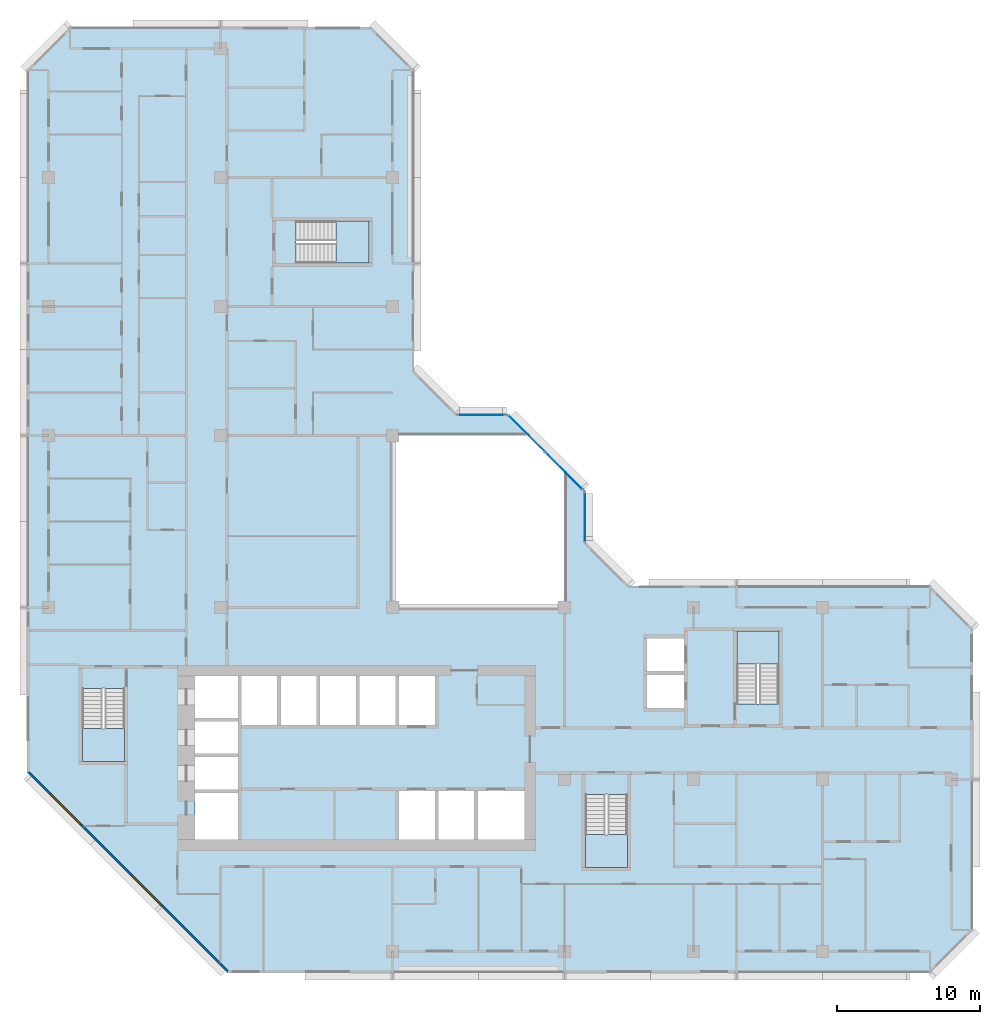
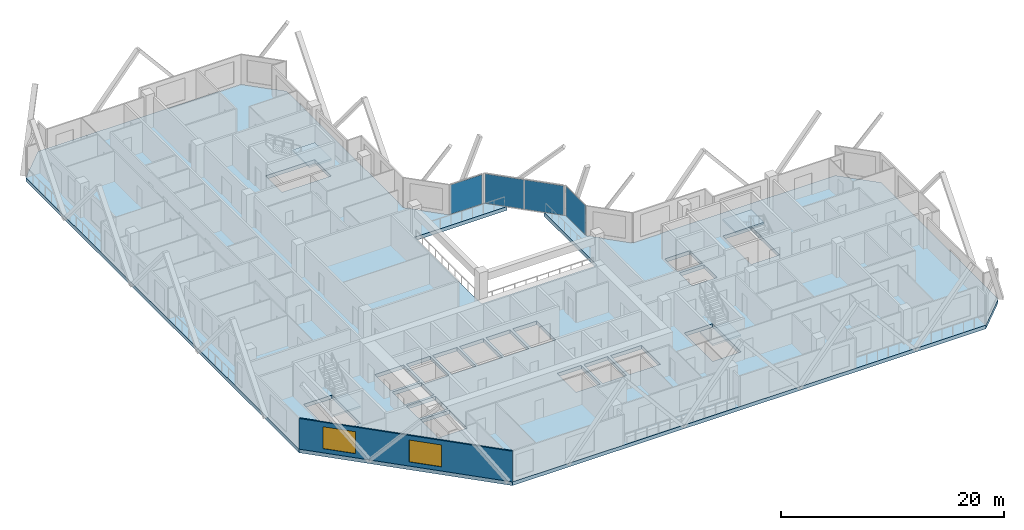
# One storey, part 3 of 14: 5 slabs, 4 plates, 2 windows, 1 wall, 2 openings, 7 elements without a shape of their own.
"""IFC4 building model written with IfcOpenShell, lengths in metres."""

from ifc_helpers import new_model, si_unit, direction, frame, frame_2d, origin, origin_2d, place, context, subcontext, project, spatial, polyline, rectangle, outline, extrude, material, layer, layer_set, type_object, element, fill, aggregate, save


model = new_model("IFC4")

# Units and contexts
model_context = context("Model", 3, precision=1e-05, world=origin(), true_north=direction((0.0, 1.0)))
body_context = subcontext(model_context, "Body", "Model", "MODEL_VIEW")
ifc_project = project(units=[si_unit("LENGTHUNIT", "METRE"), si_unit("AREAUNIT", "SQUARE_METRE"), si_unit("VOLUMEUNIT", "CUBIC_METRE"), si_unit("PLANEANGLEUNIT", "RADIAN"), si_unit("MASSUNIT", "GRAM", prefix="KILO")], contexts=[model_context])

# Site, building, storey
site_placement = place(None, origin())
site = spatial("IfcSite", under=ifc_project, at=site_placement, CompositionType="ELEMENT")
building_placement = place(site_placement, origin())
building = spatial("IfcBuilding", under=site, at=building_placement, Name="Chenar Terraces", CompositionType="ELEMENT")
storey_placement = place(building_placement, frame((0.0, 0.0, 157.39990234375)))
storey = spatial("IfcBuildingStorey", under=building, at=storey_placement, Name="L35", CompositionType="ELEMENT", Elevation=157.39990234375)

# Curtain wall, plate
ifc_material_1 = material(Name="Aluminium framed glazing", Category="aluminium")
ifc_layer_1 = layer(ifc_material_1, 0.14990234375)
ifc_layer_set_1 = layer_set([ifc_layer_1], Name="Aluminium framed glazing")
curtain_wall_type = type_object("IfcCurtainWallType", Name="Atrium mid-zone curtain wall", PredefinedType="NOTDEFINED", material=ifc_layer_set_1)
placement_1 = place(storey_placement, origin())
curtain_wall_1 = element("IfcCurtainWall", 1, at=placement_1, inside=storey, type_object=curtain_wall_type, Name="Atrium mid-zone curtain wall", PredefinedType="NOTDEFINED")
ifc_material_2 = material(Name="Low emissivity laminated glass, solar control coating", Category="glass")
ifc_layer_2 = layer(ifc_material_2, 0.031982421875)
ifc_layer_set_2 = layer_set([ifc_layer_2], Name="Low emissivity laminated glass, solar control coating")
plate_type = type_object("IfcPlateType", Name="Atrium mid-zone glazing panel 32", PredefinedType="CURTAIN_PANEL", material=ifc_layer_set_2)
plate_1_placement = place(storey_placement, frame((37.425048828125, 30.300048828125, 0.070068359375), z_axis=(0.0, 0.0, 1.0), x_axis=(0.0, 1.0, 0.0)))
plate_1 = element("IfcPlate", 2, at=plate_1_placement, type_object=plate_type, Name="CW7-1 panel 1.1", PredefinedType="CURTAIN_PANEL", context=body_context, shape_type="SweptSolid", body=[
    extrude(rectangle(XDim=3.4599609375, YDim=0.031982421875, at=origin_2d()), origin(), (0.0, 0.0, 1.0), 3.2099609375),
])
aggregate(curtain_wall_1, [plate_1])

# Curtain wall, plates
curtain_wall_2 = element("IfcCurtainWall", 3, at=placement_1, inside=storey, type_object=curtain_wall_type, Name="Atrium mid-zone curtain wall", PredefinedType="NOTDEFINED")
plate_2_placement = place(storey_placement, frame((35.978515625, 33.515380859375, 0.070068359375), z_axis=(0.0, 0.0, 1.0), x_axis=(-0.707106781187, 0.707106781187, 0.0)))
plate_2 = element("IfcPlate", 4, at=plate_2_placement, type_object=plate_type, Name="CW7-2 panel 1.1", PredefinedType="CURTAIN_PANEL", context=body_context, shape_type="SweptSolid", body=[
    extrude(rectangle(XDim=3.61328125, YDim=0.031982421875, at=origin_2d()), origin(), (0.0, 0.0, 1.0), 3.2099609375),
])
plate_3_placement = place(storey_placement, frame((33.3740234375, 36.119873046875, 0.070068359375), z_axis=(0.0, 0.0, 1.0), x_axis=(-0.707106781187, 0.707106781187, 0.0)))
plate_3 = element("IfcPlate", 5, at=plate_3_placement, type_object=plate_type, Name="CW7-2 panel 2.1", PredefinedType="CURTAIN_PANEL", context=body_context, shape_type="SweptSolid", body=[
    extrude(rectangle(XDim=3.61328125, YDim=0.031982421875, at=origin_2d()), origin(), (0.0, 0.0, 1.0), 3.2099609375),
])
aggregate(curtain_wall_2, [plate_2, plate_3])

# Curtain wall, plate
curtain_wall_3 = element("IfcCurtainWall", 6, at=placement_1, inside=storey, type_object=curtain_wall_type, Name="Atrium mid-zone curtain wall", PredefinedType="NOTDEFINED")
plate_4_placement = place(storey_placement, frame((30.199951171875, 37.425048828125, 0.070068359375), z_axis=(0.0, 0.0, 1.0), x_axis=(-1.0, 0.0, 0.0)))
plate_4 = element("IfcPlate", 7, at=plate_4_placement, type_object=plate_type, Name="CW7-3 panel 1.1", PredefinedType="CURTAIN_PANEL", context=body_context, shape_type="SweptSolid", body=[
    extrude(rectangle(XDim=3.260009765625, YDim=0.031982421875, at=origin_2d()), origin(), (0.0, 0.0, 1.0), 3.2099609375),
])
aggregate(curtain_wall_3, [plate_4])

# Stair, slab
ifc_material_3 = material(Name="Reinforced concrete C40/50", Category="concrete")
stair_type = type_object("IfcStairType", Name="Core stair 1400 half-turn", PredefinedType="HALF_TURN_STAIR", material=ifc_material_3)
stair_1 = element("IfcStair", 8, at=placement_1, inside=storey, type_object=stair_type, Name="L35 Stair 1", PredefinedType="HALF_TURN_STAIR")
ifc_material_4 = material(Name="Reinforced concrete C40/50", Category="concrete")
ifc_layer_3 = layer(ifc_material_4, 0.199951171875)
ifc_layer_set_3 = layer_set([ifc_layer_3], Name="Reinforced concrete C40/50")
slab_type_1 = type_object("IfcSlabType", Name="Core stair landing 200", PredefinedType="LANDING", material=ifc_layer_set_3)
placement_2 = place(storey_placement, frame((0.0, 0.0, 1.675048828125)))
slab_1 = element("IfcSlab", 9, at=placement_2, type_object=slab_type_1, Name="ST1 landing 1", PredefinedType="LANDING", context=body_context, shape_type="SweptSolid", body=[
    extrude(outline(polyline([(2.35009765625, 15.550048828125), (2.35009765625, 13.25), (5.300048828125, 13.25), (5.300048828125, 15.550048828125), (2.35009765625, 15.550048828125)])), origin(), (0.0, 0.0, 1.0), 0.199951171875),
])
aggregate(stair_1, [slab_1])

stair_2 = element("IfcStair", 10, at=placement_1, inside=storey, type_object=stair_type, Name="L35 Stair 2", PredefinedType="HALF_TURN_STAIR")
slab_2 = element("IfcSlab", 11, at=placement_2, type_object=slab_type_1, Name="ST2 landing 1", PredefinedType="LANDING", context=body_context, shape_type="SweptSolid", body=[
    extrude(outline(polyline([(37.449951171875, 8.14990234375), (37.449951171875, 5.85009765625), (40.39990234375, 5.85009765625), (40.39990234375, 8.14990234375), (37.449951171875, 8.14990234375)])), origin(), (0.0, 0.0, 1.0), 0.199951171875),
])
aggregate(stair_2, [slab_2])

stair_3 = element("IfcStair", 12, at=placement_1, inside=storey, type_object=stair_type, Name="L35 Stair 3", PredefinedType="HALF_TURN_STAIR")
slab_3 = element("IfcSlab", 13, at=placement_2, type_object=slab_type_1, Name="ST3 landing 1", PredefinedType="LANDING", context=body_context, shape_type="SweptSolid", body=[
    extrude(outline(polyline([(50.97509765625, 20.050048828125), (50.97509765625, 22.35009765625), (48.02490234375, 22.35009765625), (48.02490234375, 20.050048828125), (50.97509765625, 20.050048828125)])), origin(), (0.0, 0.0, 1.0), 0.199951171875),
])
aggregate(stair_3, [slab_3])

stair_4 = element("IfcStair", 14, at=placement_1, inside=storey, type_object=stair_type, Name="L35 Stair 4", PredefinedType="HALF_TURN_STAIR")
slab_4 = element("IfcSlab", 15, at=placement_2, type_object=slab_type_1, Name="ST4 landing 1", PredefinedType="LANDING", context=body_context, shape_type="SweptSolid", body=[
    extrude(outline(polyline([(20.050048828125, 48.02490234375), (22.35009765625, 48.02490234375), (22.35009765625, 50.97509765625), (20.050048828125, 50.97509765625), (20.050048828125, 48.02490234375)])), origin(), (0.0, 0.0, 1.0), 0.199951171875),
])
aggregate(stair_4, [slab_4])

# Slab
ifc_material_5 = material(Name="Concrete C40/50", Category="concrete")
ifc_layer_4 = layer(ifc_material_5, 0.39990234375)
ifc_layer_set_4 = layer_set([ifc_layer_4], Name="Concrete C40/50")
slab_type_2 = type_object("IfcSlabType", Name="Floor slab 400 Concrete C40/50", PredefinedType="FLOOR", material=ifc_layer_set_4)
slab_5_placement = place(storey_placement, frame((0.0, 0.0, -0.39990234375)))
element("IfcSlab", 16, at=slab_5_placement, inside=storey, type_object=slab_type_2, Name="Floor slab L35", PredefinedType="FLOOR", context=body_context, shape_type="SweptSolid", body=[
    extrude(outline(polyline([(64.5, 22.5), (64.5, 1.5), (61.5, -1.5), (12.5, -1.5), (-1.5, 12.5), (-1.5, 61.5), (1.5, 64.5), (22.5, 64.5), (25.5, 61.5), (25.5, 40.5), (28.5, 37.5), (32.10009765625, 37.5), (33.60009765625, 36.0), (24.0, 36.0), (24.0, 24.0), (36.0, 24.0), (36.0, 33.60009765625), (37.5, 32.10009765625), (37.5, 28.5), (40.5, 25.5), (61.5, 25.5), (64.5, 22.5)]), holes=[polyline([(13.199951171875, 11.050048828125), (10.199951171875, 11.050048828125), (10.199951171875, 7.800048828125), (13.199951171875, 7.800048828125), (13.199951171875, 11.050048828125)]), polyline([(13.199951171875, 13.550048828125), (10.199951171875, 13.550048828125), (10.199951171875, 11.300048828125), (13.199951171875, 11.300048828125), (13.199951171875, 13.550048828125)]), polyline([(13.199951171875, 16.050048828125), (10.199951171875, 16.050048828125), (10.199951171875, 13.800048828125), (13.199951171875, 13.800048828125), (13.199951171875, 16.050048828125)]), polyline([(2.35009765625, 13.25), (5.300048828125, 13.25), (5.300048828125, 18.35009765625), (2.35009765625, 18.35009765625), (2.35009765625, 13.25)]), polyline([(15.949951171875, 19.199951171875), (13.449951171875, 19.199951171875), (13.449951171875, 15.800048828125), (15.949951171875, 15.800048828125), (15.949951171875, 19.199951171875)]), polyline([(18.699951171875, 19.199951171875), (16.199951171875, 19.199951171875), (16.199951171875, 15.800048828125), (18.699951171875, 15.800048828125), (18.699951171875, 19.199951171875)]), polyline([(21.449951171875, 19.199951171875), (18.949951171875, 19.199951171875), (18.949951171875, 15.800048828125), (21.449951171875, 15.800048828125), (21.449951171875, 19.199951171875)]), polyline([(24.199951171875, 15.800048828125), (24.199951171875, 19.199951171875), (21.699951171875, 19.199951171875), (21.699951171875, 15.800048828125), (24.199951171875, 15.800048828125)]), polyline([(13.199951171875, 16.300048828125), (13.199951171875, 19.199951171875), (10.199951171875, 19.199951171875), (10.199951171875, 16.300048828125), (13.199951171875, 16.300048828125)]), polyline([(22.35009765625, 48.02490234375), (22.35009765625, 50.97509765625), (17.25, 50.97509765625), (17.25, 48.02490234375), (22.35009765625, 48.02490234375)]), polyline([(37.449951171875, 5.85009765625), (40.39990234375, 5.85009765625), (40.39990234375, 10.949951171875), (37.449951171875, 10.949951171875), (37.449951171875, 5.85009765625)]), polyline([(26.949951171875, 11.199951171875), (24.449951171875, 11.199951171875), (24.449951171875, 7.800048828125), (26.949951171875, 7.800048828125), (26.949951171875, 11.199951171875)]), polyline([(29.699951171875, 7.800048828125), (29.699951171875, 11.199951171875), (27.199951171875, 11.199951171875), (27.199951171875, 7.800048828125), (29.699951171875, 7.800048828125)]), polyline([(33.199951171875, 7.800048828125), (33.199951171875, 11.199951171875), (29.949951171875, 11.199951171875), (29.949951171875, 7.800048828125), (33.199951171875, 7.800048828125)]), polyline([(26.949951171875, 19.199951171875), (24.449951171875, 19.199951171875), (24.449951171875, 15.800048828125), (26.949951171875, 15.800048828125), (26.949951171875, 19.199951171875)]), polyline([(44.35009765625, 19.300048828125), (41.75, 19.300048828125), (41.75, 17.0), (44.35009765625, 17.0), (44.35009765625, 19.300048828125)]), polyline([(50.97509765625, 22.35009765625), (48.02490234375, 22.35009765625), (48.02490234375, 17.25), (50.97509765625, 17.25), (50.97509765625, 22.35009765625)]), polyline([(44.35009765625, 19.550048828125), (44.35009765625, 21.85009765625), (41.75, 21.85009765625), (41.75, 19.550048828125), (44.35009765625, 19.550048828125)])]), origin(), (0.0, 0.0, 1.0), 0.39990234375),
])

# Wall, openings, windows
ifc_material_6 = material(Name="Terracotta cladding on insulated backing", Category="masonry")
ifc_layer_5 = layer(ifc_material_6, 0.14990234375)
ifc_layer_set_5 = layer_set([ifc_layer_5], Name="Terracotta cladding on insulated backing")
wall_type = type_object("IfcWallType", Name="Terracotta rainscreen wall 150", PredefinedType="SOLIDWALL", material=ifc_layer_set_5)
wall_placement = place(storey_placement, frame((-1.447021484375, 12.552978515625, 0.0), z_axis=(0.0, 0.0, 1.0), x_axis=(0.707106781187, -0.707106781187, 0.0)))
wall = element("IfcWall", 17, at=wall_placement, inside=storey, type_object=wall_type, Name="Terracotta rainscreen wall", PredefinedType="SOLIDWALL", context=body_context, shape_type="SweptSolid", body=[
    extrude(rectangle(XDim=19.799072265625, YDim=0.14990234375, at=frame_2d((9.8994140625, 0.0))), origin(), (0.0, 0.0, 1.0), 3.35009765625),
])
opening_1_placement = place(wall_placement, frame((2.21240234375, 0.0, 0.449951171875)))
opening_1 = element("IfcOpeningElement", 18, at=opening_1_placement, cuts=wall, Name="Opening W300x240", PredefinedType="OPENING", context=body_context, shape_type="SweptSolid", body=[
    extrude(rectangle(XDim=3.0, YDim=2.39990234375, at=frame_2d((1.5, 1.199951171875))), frame((0.0, 0.0849609375, 0.0), z_axis=(0.0, -1.0, 0.0), x_axis=(1.0, 0.0, 0.0)), (0.0, 0.0, 1.0), 0.169921875),
])
opening_2_placement = place(wall_placement, frame((10.215576171875, 0.0, 0.449951171875)))
opening_2 = element("IfcOpeningElement", 19, at=opening_2_placement, cuts=wall, Name="Opening W300x240", PredefinedType="OPENING", context=body_context, shape_type="SweptSolid", body=[
    extrude(rectangle(XDim=3.0, YDim=2.39990234375, at=frame_2d((1.5, 1.199951171875))), frame((0.0, 0.0849609375, 0.0), z_axis=(0.0, -1.0, 0.0), x_axis=(1.0, 0.0, 0.0)), (0.0, 0.0, 1.0), 0.169921875),
])
ifc_material_7 = material(Name="Low emissivity double glazing, aluminium frame", Category="aluminium")
window_type = type_object("IfcWindowType", Name="Fixed light 3000 x 2400", PartitioningType="SINGLE_PANEL", PredefinedType="WINDOW", material=ifc_material_7)
window_1_placement = place(opening_1_placement, origin())
window_1 = element("IfcWindow", 20, at=window_1_placement, inside=storey, type_object=window_type, Name="Window", OverallHeight=2.39990234375, OverallWidth=3.0, PartitioningType="SINGLE_PANEL", PredefinedType="WINDOW", context=body_context, shape_type="SweptSolid", body=[
    extrude(rectangle(XDim=3.0, YDim=2.39990234375, at=frame_2d((1.5, 1.199951171875))), frame((0.0, 0.030029296875, 0.0), z_axis=(0.0, -1.0, 0.0), x_axis=(1.0, 0.0, 0.0)), (0.0, 0.0, 1.0), 0.06005859375),
])
fill(opening_1, window_1)
window_2_placement = place(opening_2_placement, origin())
window_2 = element("IfcWindow", 21, at=window_2_placement, inside=storey, type_object=window_type, Name="Window", OverallHeight=2.39990234375, OverallWidth=3.0, PartitioningType="SINGLE_PANEL", PredefinedType="WINDOW", context=body_context, shape_type="SweptSolid", body=[
    extrude(rectangle(XDim=3.0, YDim=2.39990234375, at=frame_2d((1.5, 1.199951171875))), frame((0.0, 0.030029296875, 0.0), z_axis=(0.0, -1.0, 0.0), x_axis=(1.0, 0.0, 0.0)), (0.0, 0.0, 1.0), 0.06005859375),
])
fill(opening_2, window_2)

save(model, "model.ifc")
